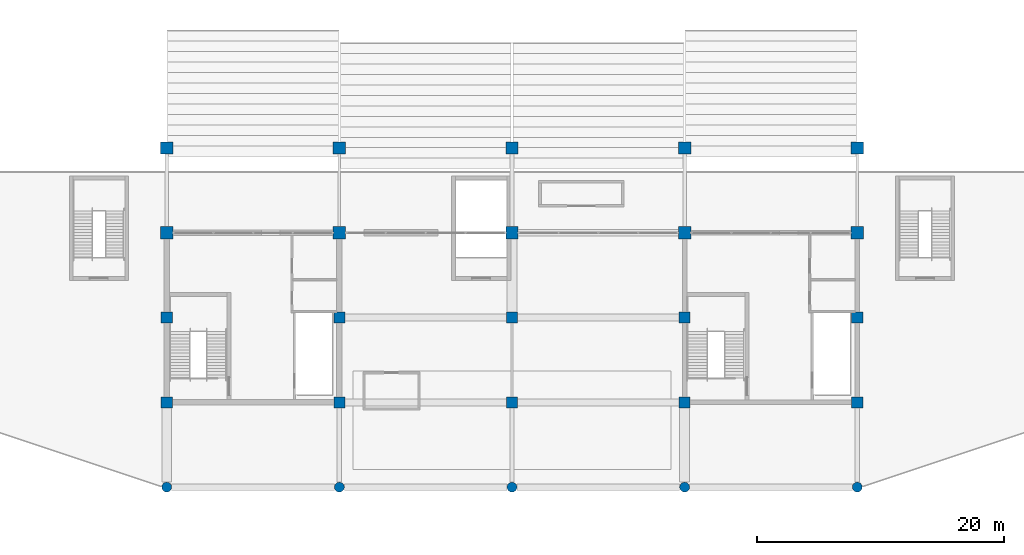
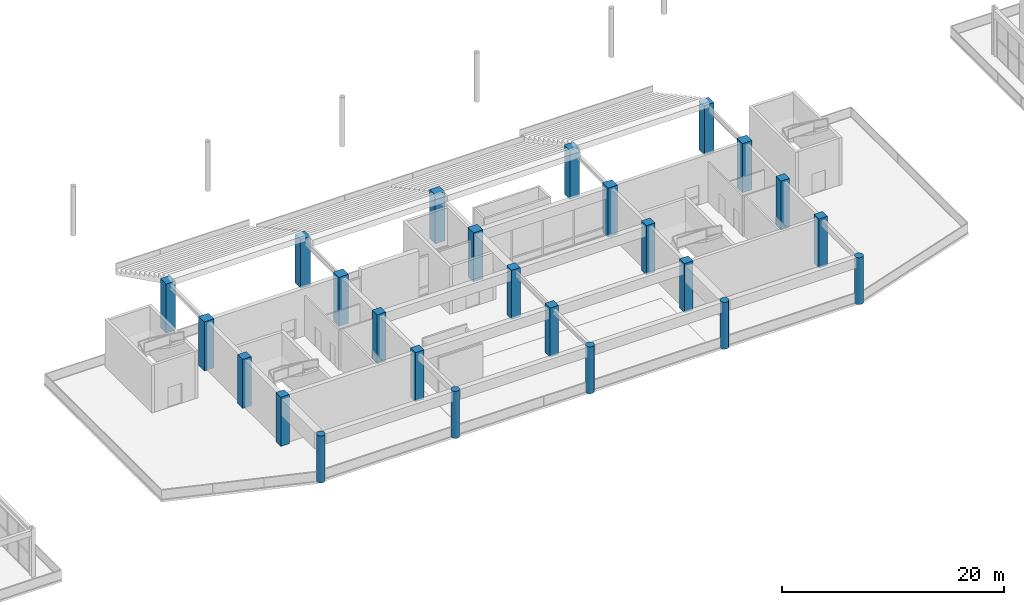
# One storey, part 4 of 117: 25 columns.
"""IFC4 building model written with IfcOpenShell, lengths in metres."""

from ifc_helpers import new_model, si_unit, direction, frame, origin, origin_2d, place, context, subcontext, project, spatial, rectangle, circle, extrude, material, material_profile, profile_set, type_object, element, save


model = new_model("IFC4")

# Units and contexts
model_context = context("Model", 3, precision=1e-05, world=origin(), true_north=direction((0.0, 1.0)))
body_context = subcontext(model_context, "Body", "Model", "MODEL_VIEW")
ifc_project = project(units=[si_unit("LENGTHUNIT", "METRE"), si_unit("AREAUNIT", "SQUARE_METRE"), si_unit("VOLUMEUNIT", "CUBIC_METRE"), si_unit("PLANEANGLEUNIT", "RADIAN"), si_unit("MASSUNIT", "GRAM", prefix="KILO")], contexts=[model_context])

# Site, building, storey
site_placement = place(None, origin())
site = spatial("IfcSite", under=ifc_project, at=site_placement, CompositionType="ELEMENT")
building_placement = place(site_placement, origin())
building = spatial("IfcBuilding", under=site, at=building_placement, Name="Linyun Crest Stadium", CompositionType="ELEMENT")
storey_placement = place(building_placement, frame((0.0, 0.0, 6.0)))
storey = spatial("IfcBuildingStorey", under=building, at=storey_placement, Name="L02", CompositionType="ELEMENT", Elevation=6.0)

# Columns
ifc_material_1 = material(Name="Concrete C50", Category="concrete")
ifc_material_profile_1 = material_profile(ifc_material_1, rectangle(XDim=0.89990234375, YDim=0.89990234375, at=origin_2d()), Name="RC 900x900")
ifc_profile_set_1 = profile_set([ifc_material_profile_1], Name="Concrete C50")
column_type_1 = type_object("IfcColumnType", Name="C04", PredefinedType="COLUMN", material=ifc_profile_set_1)
for number, where, z_axis, x_axis, name in (
    (1, (-28.0, -87.25, 0.0), (0.0, 0.0, 1.0), (1.0, 0.0, 0.0), "Column C04 L02 679"),
    (2, (-28.0, -80.375, 0.0), (0.0, 0.0, 1.0), (1.0, 0.0, 0.0), "Column C04 L02 684"),
    (3, (-14.0, -87.25, 0.0), (0.0, 0.0, 1.0), (1.0, 0.0, 0.0), "Column C04 L02 703"),
    (4, (-14.0, -80.375, 0.0), (0.0, 0.0, 1.0), (1.0, 0.0, 0.0), "Column C04 L02 708"),
    (5, (0.0, -87.25, 0.0), (0.0, 0.0, 1.0), (1.0, 0.0, 0.0), "Column C04 L02 727"),
    (6, (0.0, -80.375, 0.0), (0.0, 0.0, 1.0), (1.0, 0.0, 0.0), "Column C04 L02 732"),
    (7, (14.0, -87.25, 0.0), (0.0, 0.0, 1.0), (1.0, 0.0, 0.0), "Column C04 L02 751"),
    (8, (14.0, -80.375, 0.0), (0.0, 0.0, 1.0), (1.0, 0.0, 0.0), "Column C04 L02 756"),
    (9, (28.0, -87.25, 0.0), (0.0, 0.0, 1.0), (1.0, 0.0, 0.0), "Column C04 L02 775"),
    (10, (28.0, -80.375, 0.0), (0.0, 0.0, 1.0), (1.0, 0.0, 0.0), "Column C04 L02 780"),
):
    element("IfcColumn", number, at=place(storey_placement, frame(where, z_axis=z_axis, x_axis=x_axis)), inside=storey, type_object=column_type_1, Name=name, PredefinedType="COLUMN", context=body_context, shape_type="SweptSolid", body=[
        extrude(rectangle(XDim=0.89990234375, YDim=0.89990234375, at=origin_2d()), origin(), (0.0, 0.0, 1.0), 5.39794921875),
    ])
ifc_material_2 = material(Name="Concrete C50", Category="concrete")
ifc_material_profile_2 = material_profile(ifc_material_2, rectangle(XDim=1.0, YDim=1.0, at=origin_2d()), Name="RC 1000x1000")
ifc_profile_set_2 = profile_set([ifc_material_profile_2], Name="Concrete C50")
column_type_2 = type_object("IfcColumnType", Name="C05", PredefinedType="COLUMN", material=ifc_profile_set_2)
for number, where, z_axis, x_axis, name in (
    (11, (-28.0, -73.5, 0.0), (0.0, 0.0, 1.0), (1.0, 0.0, 0.0), "Column C05 L02 689"),
    (12, (-28.0, -66.625, 0.0), (0.0, 0.0, 1.0), (1.0, 0.0, 0.0), "Column C05 L02 694"),
    (13, (-14.0, -73.5, 0.0), (0.0, 0.0, 1.0), (1.0, 0.0, 0.0), "Column C05 L02 713"),
    (14, (-14.0, -66.625, 0.0), (0.0, 0.0, 1.0), (1.0, 0.0, 0.0), "Column C05 L02 718"),
    (15, (0.0, -73.5, 0.0), (0.0, 0.0, 1.0), (1.0, 0.0, 0.0), "Column C05 L02 737"),
    (16, (0.0, -66.625, 0.0), (0.0, 0.0, 1.0), (1.0, 0.0, 0.0), "Column C05 L02 742"),
    (17, (14.0, -73.5, 0.0), (0.0, 0.0, 1.0), (1.0, 0.0, 0.0), "Column C05 L02 761"),
    (18, (14.0, -66.625, 0.0), (0.0, 0.0, 1.0), (1.0, 0.0, 0.0), "Column C05 L02 766"),
    (19, (28.0, -73.5, 0.0), (0.0, 0.0, 1.0), (1.0, 0.0, 0.0), "Column C05 L02 785"),
    (20, (28.0, -66.625, 0.0), (0.0, 0.0, 1.0), (1.0, 0.0, 0.0), "Column C05 L02 790"),
):
    element("IfcColumn", number, at=place(storey_placement, frame(where, z_axis=z_axis, x_axis=x_axis)), inside=storey, type_object=column_type_2, Name=name, PredefinedType="COLUMN", context=body_context, shape_type="SweptSolid", body=[
        extrude(rectangle(XDim=1.0, YDim=1.0, at=origin_2d()), origin(), (0.0, 0.0, 1.0), 5.39794921875),
    ])
ifc_material_3 = material(Name="Concrete C50", Category="concrete")
ifc_material_profile_3 = material_profile(ifc_material_3, circle(Radius=0.39990234375, at=origin_2d()), Name="RC D800")
ifc_profile_set_3 = profile_set([ifc_material_profile_3], Name="Concrete C50")
column_type_3 = type_object("IfcColumnType", Name="C07", PredefinedType="COLUMN", material=ifc_profile_set_3)
for number, where, z_axis, x_axis, name in (
    (21, (-28.0, -94.125, 0.0), (0.0, 0.0, 1.0), (1.0, 0.0, 0.0), "Column C07 L02 676"),
    (22, (-14.0, -94.125, 0.0), (0.0, 0.0, 1.0), (1.0, 0.0, 0.0), "Column C07 L02 700"),
    (23, (0.0, -94.125, 0.0), (0.0, 0.0, 1.0), (1.0, 0.0, 0.0), "Column C07 L02 724"),
    (24, (14.0, -94.125, 0.0), (0.0, 0.0, 1.0), (1.0, 0.0, 0.0), "Column C07 L02 748"),
    (25, (28.0, -94.125, 0.0), (0.0, 0.0, 1.0), (1.0, 0.0, 0.0), "Column C07 L02 772"),
):
    element("IfcColumn", number, at=place(storey_placement, frame(where, z_axis=z_axis, x_axis=x_axis)), inside=storey, type_object=column_type_3, Name=name, PredefinedType="COLUMN", context=body_context, shape_type="SweptSolid", body=[
        extrude(circle(Radius=0.39990234375, at=origin_2d()), origin(), (0.0, 0.0, 1.0), 5.159912109375),
    ])

save(model, "model.ifc")
